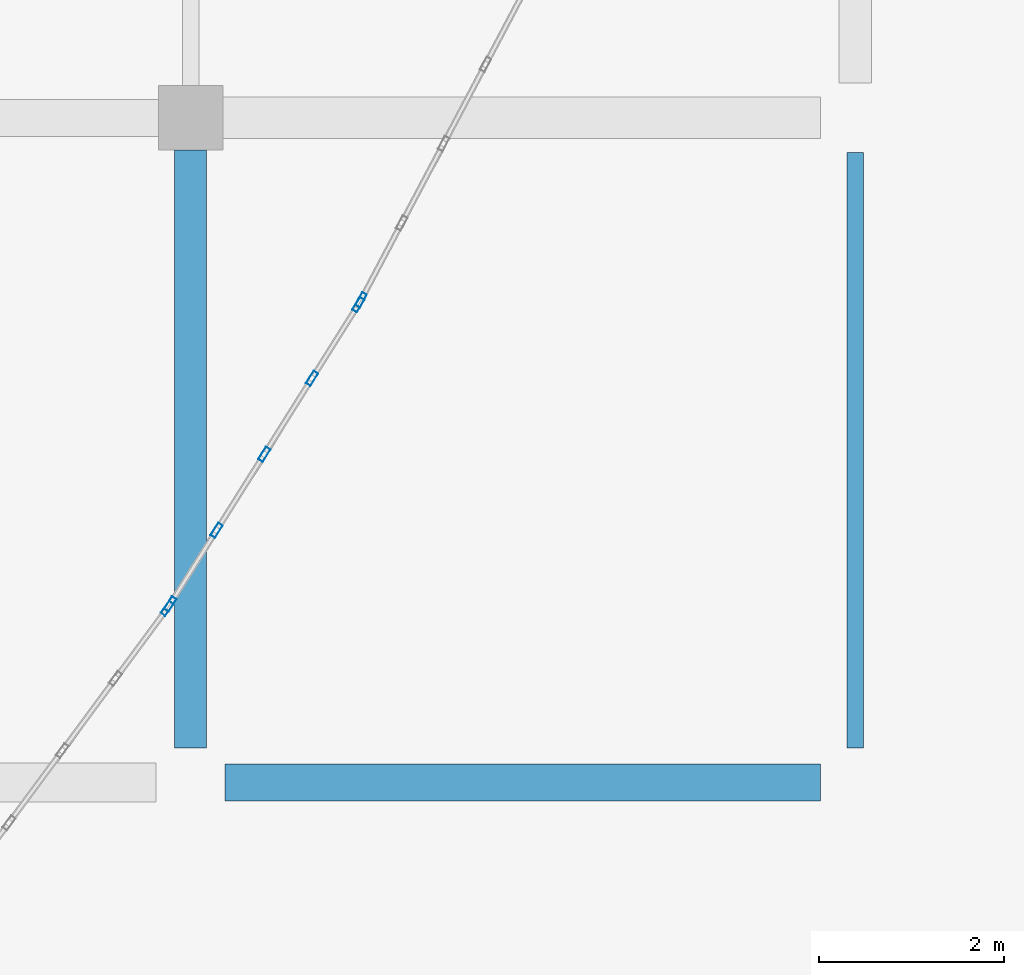
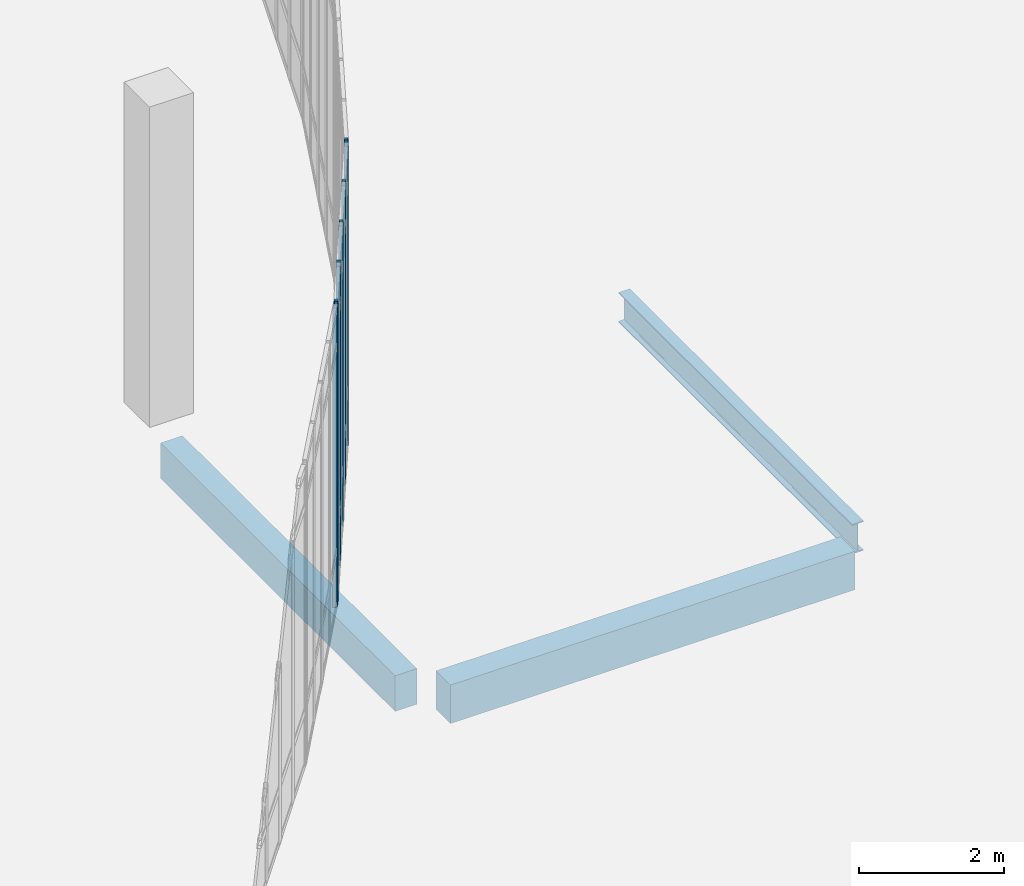
# One storey, part 35 of 110: 7 members, 3 beams, 3 elements without a shape of their own.
"""IFC4 building model written with IfcOpenShell, lengths in metres."""

from ifc_helpers import new_model, si_unit, direction, frame, origin, origin_2d, place, context, subcontext, project, spatial, rectangle, hollow_rectangle, i_section, extrude, material, material_profile, profile_set, type_object, element, aggregate, save


model = new_model("IFC4")

# Units and contexts
model_context = context("Model", 3, precision=1e-05, world=origin(), true_north=direction((0.0, 1.0)))
body_context = subcontext(model_context, "Body", "Model", "MODEL_VIEW")
ifc_project = project(units=[si_unit("LENGTHUNIT", "METRE"), si_unit("AREAUNIT", "SQUARE_METRE"), si_unit("VOLUMEUNIT", "CUBIC_METRE"), si_unit("PLANEANGLEUNIT", "RADIAN"), si_unit("MASSUNIT", "GRAM", prefix="KILO")], contexts=[model_context])

# Site, building, storey
site_placement = place(None, origin())
site = spatial("IfcSite", under=ifc_project, at=site_placement, CompositionType="ELEMENT")
building_placement = place(site_placement, origin())
building = spatial("IfcBuilding", under=site, at=building_placement, Name="Kalluvel Institute of Natural Sciences", CompositionType="ELEMENT")
storey_placement = place(building_placement, origin())
storey = spatial("IfcBuildingStorey", under=building, at=storey_placement, Name="L00", CompositionType="ELEMENT", Elevation=0.0)

# Beams
ifc_material_1 = material(Name="Steel E350 Grade 350", Category="steel")
ifc_material_profile_1 = material_profile(ifc_material_1, i_section(OverallWidth=0.179931640625, OverallDepth=0.5, WebThickness=0.01025390625, FlangeThickness=0.01708984375, FilletRadius=0.01708984375, at=origin_2d()), Name="ISMB 500")
ifc_profile_set_1 = profile_set([ifc_material_profile_1], Name="Steel E350 Grade 350")
beam_type_1 = type_object("IfcBeamType", Name="BM-ISMB500", PredefinedType="BEAM", material=ifc_profile_set_1)
beam_1_placement = place(storey_placement, frame((86.0, 71.97509765625, -0.570068359375), z_axis=(0.0, 1.0, 0.0), x_axis=(-1.0, 0.0, 0.0)))
element("IfcBeam", 1, at=beam_1_placement, inside=storey, type_object=beam_type_1, Name="L00 girder GIR-L00-NS-X860-Y716", PredefinedType="BEAM", context=body_context, shape_type="SweptSolid", body=[
    extrude(i_section(OverallWidth=0.179931640625, OverallDepth=0.5, WebThickness=0.01025390625, FlangeThickness=0.01708984375, FilletRadius=0.01708984375, at=origin_2d()), origin(), (0.0, 0.0, 1.0), 6.449951171875),
])
ifc_material_2 = material(Name="Concrete M40", Category="concrete")
ifc_material_profile_2 = material_profile(ifc_material_2, rectangle(XDim=0.35009765625, YDim=0.60009765625, at=origin_2d()), Name="RCB 350x600")
ifc_profile_set_2 = profile_set([ifc_material_profile_2], Name="Concrete M40")
beam_type_2 = type_object("IfcBeamType", Name="BM-RC350x600", PredefinedType="BEAM", material=ifc_profile_set_2)
beam_2_placement = place(storey_placement, frame((78.800048828125, 71.97509765625, -0.6201171875), z_axis=(0.0, 1.0, 0.0), x_axis=(-1.0, 0.0, 0.0)))
element("IfcBeam", 2, at=beam_2_placement, inside=storey, type_object=beam_type_2, Name="L00 girder GIR-L00-NS-X788-Y716", PredefinedType="BEAM", context=body_context, shape_type="SweptSolid", body=[
    extrude(rectangle(XDim=0.35009765625, YDim=0.60009765625, at=origin_2d()), origin(), (0.0, 0.0, 1.0), 6.474853515625),
])
ifc_material_profile_3 = material_profile(ifc_material_2, rectangle(XDim=0.39990234375, YDim=0.64990234375, at=origin_2d()), Name="RCB 400x650")
ifc_profile_set_3 = profile_set([ifc_material_profile_3], Name="Concrete M40")
beam_type_3 = type_object("IfcBeamType", Name="BM-RC400x650", PredefinedType="BEAM", material=ifc_profile_set_3)
beam_3_placement = place(storey_placement, frame((79.175048828125, 71.60009765625, -0.64501953125), z_axis=(1.0, 0.0, 0.0), x_axis=(0.0, 1.0, 0.0)))
element("IfcBeam", 3, at=beam_3_placement, inside=storey, type_object=beam_type_3, Name="L00 girder GIR-L00-EW-X788-Y716", PredefinedType="BEAM", context=body_context, shape_type="SweptSolid", body=[
    extrude(rectangle(XDim=0.39990234375, YDim=0.64990234375, at=origin_2d()), origin(), (0.0, 0.0, 1.0), 6.449951171875),
])

# Curtain wall, member
ifc_material_3 = material(Name="Aluminium AW-6063 T6", Category="aluminium")
curtain_wall_type = type_object("IfcCurtainWallType", Name="CW-ATR-L00", PredefinedType="USERDEFINED", material=ifc_material_3)
curtain_wall_1_placement = place(storey_placement, origin())
curtain_wall_1 = element("IfcCurtainWall", 4, at=curtain_wall_1_placement, inside=storey, type_object=curtain_wall_type, Name="L00 Gothic lancet curtain wall CWA-L00-X763-Y704", ObjectType="UNITISED LANCET FACADE", PredefinedType="USERDEFINED")
ifc_material_profile_4 = material_profile(ifc_material_3, hollow_rectangle(XDim=0.06005859375, YDim=0.159912109375, WallThickness=0.00390625, at=origin_2d()), Name="CWM 60x160")
ifc_profile_set_4 = profile_set([ifc_material_profile_4], Name="Aluminium AW-6063 T6")
member_type = type_object("IfcMemberType", Name="CWM-60x160", PredefinedType="MULLION", material=ifc_profile_set_4)
member_1_placement = place(storey_placement, frame((78.546630859375, 73.483154296875, 0.0), z_axis=(0.0, 0.0, 1.0), x_axis=(-0.804601869963, 0.593814643515, 0.0)))
member_1 = element("IfcMember", 5, at=member_1_placement, type_object=member_type, Name="CW-06 mullion 5", PredefinedType="MULLION", context=body_context, shape_type="SweptSolid", body=[
    extrude(hollow_rectangle(XDim=0.06005859375, YDim=0.159912109375, WallThickness=0.00390625, at=origin_2d()), origin(), (0.0, 0.0, 1.0), 5.050048828125),
])
aggregate(curtain_wall_1, [member_1])

# Curtain wall, members
curtain_wall_2_placement = place(storey_placement, origin())
curtain_wall_2 = element("IfcCurtainWall", 6, at=curtain_wall_2_placement, inside=storey, type_object=curtain_wall_type, Name="L00 Gothic lancet curtain wall CWA-L00-X786-Y735", ObjectType="UNITISED LANCET FACADE", PredefinedType="USERDEFINED")
member_2_placement = place(storey_placement, frame((78.580322265625, 73.53271484375, 0.0), z_axis=(0.0, 0.0, 1.0), x_axis=(-0.846721616025, 0.532036187638, 0.0)))
member_2 = element("IfcMember", 7, at=member_2_placement, type_object=member_type, Name="CW-06 mullion 1", PredefinedType="MULLION", context=body_context, shape_type="SweptSolid", body=[
    extrude(hollow_rectangle(XDim=0.06005859375, YDim=0.159912109375, WallThickness=0.00390625, at=origin_2d()), origin(), (0.0, 0.0, 1.0), 5.050048828125),
])
member_3_placement = place(storey_placement, frame((79.08154296875, 74.33056640625, 0.0), z_axis=(0.0, 0.0, 1.0), x_axis=(-0.846721616025, 0.532036187638, 0.0)))
member_3 = element("IfcMember", 8, at=member_3_placement, type_object=member_type, Name="CW-06 mullion 2", PredefinedType="MULLION", context=body_context, shape_type="SweptSolid", body=[
    extrude(hollow_rectangle(XDim=0.06005859375, YDim=0.159912109375, WallThickness=0.00390625, at=origin_2d()), origin(), (0.0, 0.0, 1.0), 5.050048828125),
])
member_4_placement = place(storey_placement, frame((79.598876953125, 75.15380859375, 0.0), z_axis=(0.0, 0.0, 1.0), x_axis=(-0.846721616025, 0.532036187638, 0.0)))
member_4 = element("IfcMember", 9, at=member_4_placement, type_object=member_type, Name="CW-06 mullion 3", PredefinedType="MULLION", context=body_context, shape_type="SweptSolid", body=[
    extrude(hollow_rectangle(XDim=0.06005859375, YDim=0.159912109375, WallThickness=0.00390625, at=origin_2d()), origin(), (0.0, 0.0, 1.0), 5.050048828125),
])
member_5_placement = place(storey_placement, frame((80.115966796875, 75.976806640625, 0.0), z_axis=(0.0, 0.0, 1.0), x_axis=(-0.846721616025, 0.532036187638, 0.0)))
member_5 = element("IfcMember", 10, at=member_5_placement, type_object=member_type, Name="CW-06 mullion 4", PredefinedType="MULLION", context=body_context, shape_type="SweptSolid", body=[
    extrude(hollow_rectangle(XDim=0.06005859375, YDim=0.159912109375, WallThickness=0.00390625, at=origin_2d()), origin(), (0.0, 0.0, 1.0), 5.050048828125),
])
member_6_placement = place(storey_placement, frame((80.617431640625, 76.774658203125, 0.0), z_axis=(0.0, 0.0, 1.0), x_axis=(-0.846721616025, 0.532036187638, 0.0)))
member_6 = element("IfcMember", 11, at=member_6_placement, type_object=member_type, Name="CW-06 mullion 5", PredefinedType="MULLION", context=body_context, shape_type="SweptSolid", body=[
    extrude(hollow_rectangle(XDim=0.06005859375, YDim=0.159912109375, WallThickness=0.00390625, at=origin_2d()), origin(), (0.0, 0.0, 1.0), 5.050048828125),
])
aggregate(curtain_wall_2, [member_2, member_3, member_4, member_5, member_6])

# Curtain wall, member
curtain_wall_3_placement = place(storey_placement, origin())
curtain_wall_3 = element("IfcCurtainWall", 12, at=curtain_wall_3_placement, inside=storey, type_object=curtain_wall_type, Name="L00 Gothic lancet curtain wall CWA-L00-X806-Y768", ObjectType="UNITISED LANCET FACADE", PredefinedType="USERDEFINED")
member_7_placement = place(storey_placement, frame((80.647216796875, 76.826416015625, 0.0), z_axis=(0.0, 0.0, 1.0), x_axis=(-0.884108599764, 0.467281482432, 0.0)))
member_7 = element("IfcMember", 13, at=member_7_placement, type_object=member_type, Name="CW-06 mullion 1", PredefinedType="MULLION", context=body_context, shape_type="SweptSolid", body=[
    extrude(hollow_rectangle(XDim=0.06005859375, YDim=0.159912109375, WallThickness=0.00390625, at=origin_2d()), origin(), (0.0, 0.0, 1.0), 5.050048828125),
])
aggregate(curtain_wall_3, [member_7])

save(model, "model.ifc")
